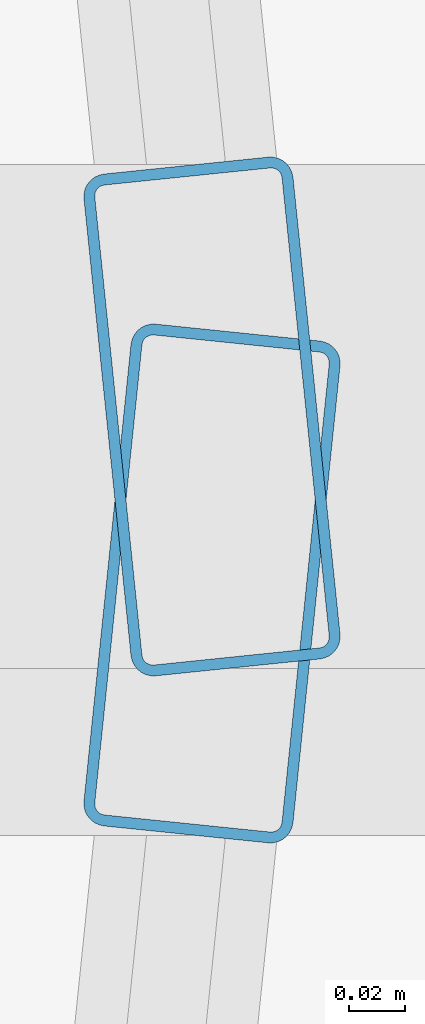
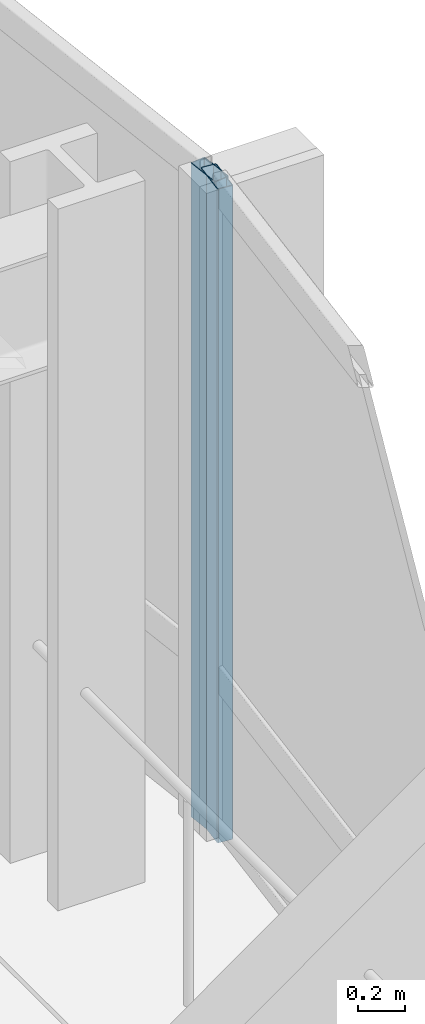
# One storey, part 25 of 34: 2 members, 2 elements without a shape of their own.
"""IFC4 building model written with IfcOpenShell, lengths in metres."""

from ifc_helpers import new_model, si_unit, direction, frame, origin, origin_2d, place, context, subcontext, project, spatial, hollow_rectangle, extrude, material, layer, layer_set, material_profile, profile_set, type_object, element, aggregate, save


model = new_model("IFC4")

# Units and contexts
model_context = context("Model", 3, precision=1e-05, world=origin(), true_north=direction((0.0, 1.0)))
body_context = subcontext(model_context, "Body", "Model", "MODEL_VIEW")
ifc_project = project(units=[si_unit("LENGTHUNIT", "METRE"), si_unit("AREAUNIT", "SQUARE_METRE"), si_unit("VOLUMEUNIT", "CUBIC_METRE"), si_unit("PLANEANGLEUNIT", "RADIAN"), si_unit("MASSUNIT", "GRAM", prefix="KILO")], contexts=[model_context])

# Site, building, storey
site_placement = place(None, origin())
site = spatial("IfcSite", under=ifc_project, at=site_placement, CompositionType="ELEMENT")
building_placement = place(site_placement, origin())
building = spatial("IfcBuilding", under=site, at=building_placement, Name="Solvaryn Broadcast Tower", CompositionType="ELEMENT")
storey_placement = place(building_placement, frame((0.0, 0.0, 36.0)))
storey = spatial("IfcBuildingStorey", under=building, at=storey_placement, Name="L07", CompositionType="ELEMENT", Elevation=36.0)

# Curtain wall, member
ifc_material_1 = material(Name="Aluminium and Terracotta Unitised Curtain Wall", Category="masonry")
ifc_layer = layer(ifc_material_1, 0.199951171875)
ifc_layer_set = layer_set([ifc_layer], Name="CW-SYS2-LOWMID")
curtain_wall_type = type_object("IfcCurtainWallType", Name="CW-SYS2-LOWMID", PredefinedType="NOTDEFINED", material=ifc_layer_set)
curtain_wall_1_placement = place(storey_placement, origin())
curtain_wall_1 = element("IfcCurtainWall", 1, at=curtain_wall_1_placement, inside=storey, type_object=curtain_wall_type, Name="L07 Curtain Wall ET1", PredefinedType="NOTDEFINED")
ifc_material_2 = material(Name="Anodised Aluminium 6063-T6", Category="aluminium")
ifc_material_profile = material_profile(ifc_material_2, hollow_rectangle(XDim=0.074951171875, YDim=0.179931640625, WallThickness=0.00390625, InnerFilletRadius=0.00390625, OuterFilletRadius=0.008056640625, at=origin_2d()))
ifc_profile_set = profile_set([ifc_material_profile], Name="Anodised Aluminium 6063-T6")
member_type = type_object("IfcMemberType", Name="CW-MUL-180", PredefinedType="MULLION", material=ifc_profile_set)
member_1_placement = place(storey_placement, frame((63.697021484375, 18.02978515625, 0.0), z_axis=(0.0, 0.0, 1.0), x_axis=(0.99474329889, 0.10240004548, 0.0)))
member_1 = element("IfcMember", 2, at=member_1_placement, type_object=member_type, Name="CWS2 mullion 2", PredefinedType="MULLION", context=body_context, shape_type="SweptSolid", body=[
    extrude(hollow_rectangle(XDim=0.074951171875, YDim=0.179931640625, WallThickness=0.00390625, InnerFilletRadius=0.00390625, OuterFilletRadius=0.008056640625, at=origin_2d()), origin(), (0.0, 0.0, 1.0), 3.419921875),
])
aggregate(curtain_wall_1, [member_1])

curtain_wall_2_placement = place(storey_placement, origin())
curtain_wall_2 = element("IfcCurtainWall", 3, at=curtain_wall_2_placement, inside=storey, type_object=curtain_wall_type, Name="L07 Curtain Wall ET2", PredefinedType="NOTDEFINED")
member_2_placement = place(storey_placement, frame((63.697021484375, 17.97021484375, 0.0), z_axis=(0.0, 0.0, 1.0), x_axis=(0.99474329889, -0.10240004548, 0.0)))
member_2 = element("IfcMember", 4, at=member_2_placement, type_object=member_type, Name="CWS2 mullion 1", PredefinedType="MULLION", context=body_context, shape_type="SweptSolid", body=[
    extrude(hollow_rectangle(XDim=0.074951171875, YDim=0.179931640625, WallThickness=0.00390625, InnerFilletRadius=0.00390625, OuterFilletRadius=0.008056640625, at=origin_2d()), origin(), (0.0, 0.0, 1.0), 3.419921875),
])
aggregate(curtain_wall_2, [member_2])

save(model, "model.ifc")
